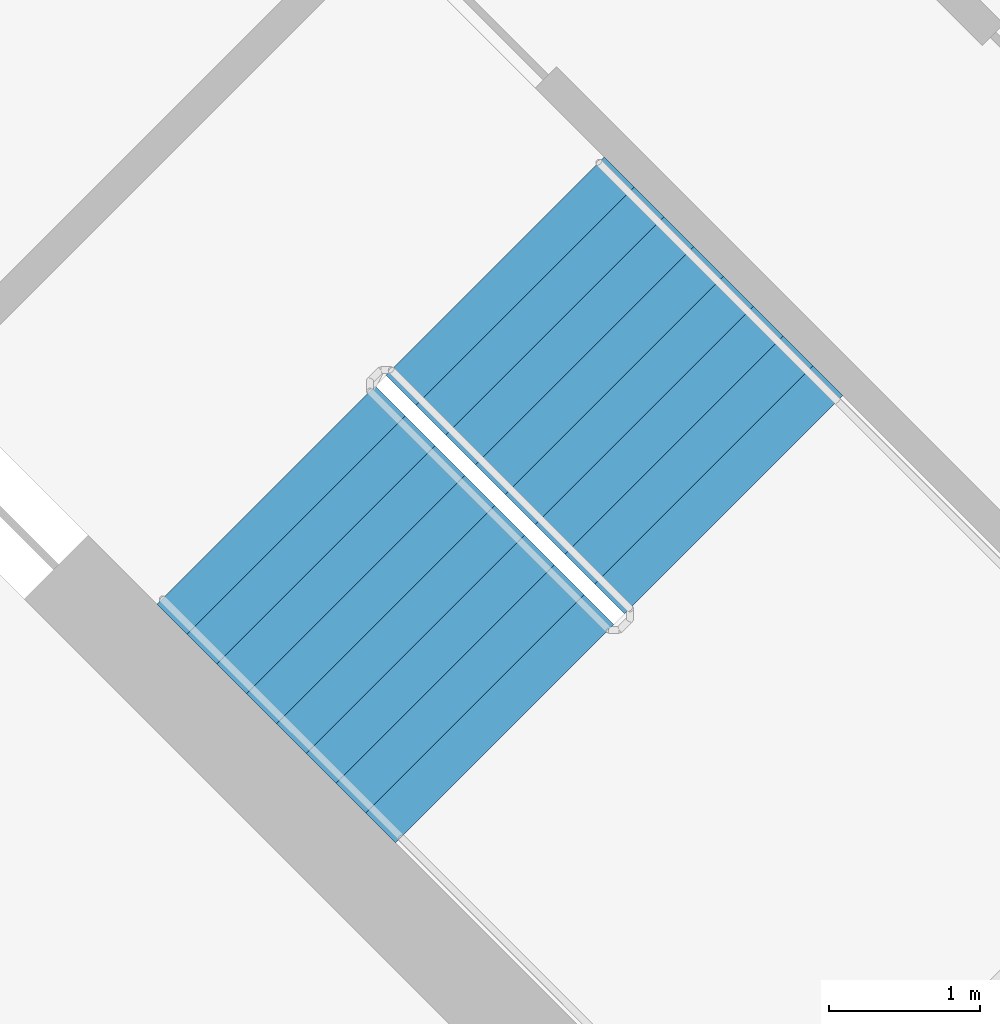
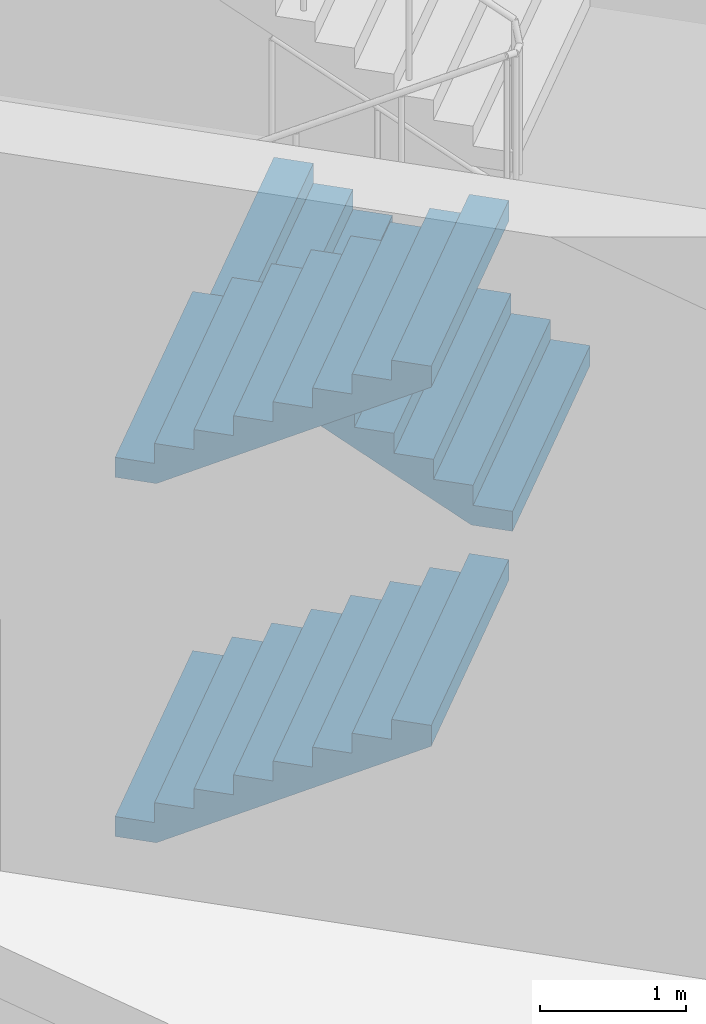
# One storey, part 11 of 16: 3 stair flights, 1 element without a shape of its own.
"""IFC4 building model written with IfcOpenShell, lengths in metres."""

from ifc_helpers import new_model, si_unit, direction, frame, origin, place, context, subcontext, project, spatial, triangles, material, type_object, element, aggregate, save


model = new_model("IFC4")

# Units and contexts
model_context = context("Model", 3, precision=1e-05, world=origin(), true_north=direction((0.0, 1.0)))
body_context = subcontext(model_context, "Body", "Model", "MODEL_VIEW")
ifc_project = project(units=[si_unit("LENGTHUNIT", "METRE"), si_unit("AREAUNIT", "SQUARE_METRE"), si_unit("VOLUMEUNIT", "CUBIC_METRE"), si_unit("PLANEANGLEUNIT", "RADIAN"), si_unit("MASSUNIT", "GRAM", prefix="KILO")], contexts=[model_context])

# Site, building, storey
site_placement = place(None, origin())
site = spatial("IfcSite", under=ifc_project, at=site_placement, CompositionType="ELEMENT")
building_placement = place(site_placement, origin())
building = spatial("IfcBuilding", under=site, at=building_placement, Name="Verdalira Terraces Hotel", CompositionType="ELEMENT")
storey_placement = place(building_placement, frame((0.0, 0.0, 216.0)))
storey = spatial("IfcBuildingStorey", under=building, at=storey_placement, Name="L53", CompositionType="ELEMENT", Elevation=216.0)

# Stair, stair flights
ifc_material_1 = material(Name="Concrete C40", Category="concrete")
stair_type = type_object("IfcStairType", Name="Core stair 36 risers 2050 mm wide", PredefinedType="HALF_TURN_STAIR", material=ifc_material_1)
stair_placement = place(storey_placement, origin())
stair = element("IfcStair", 1, at=stair_placement, inside=storey, type_object=stair_type, Name="L53 Exit stair ST2", PredefinedType="HALF_TURN_STAIR")
ifc_material_2 = material(Name="Concrete C40", Category="concrete")
stair_flight_type = type_object("IfcStairFlightType", Name="Core stair flight 36 risers 2050 mm wide", PredefinedType="STRAIGHT", material=ifc_material_2)
stair_flight_1_placement = place(storey_placement, frame((-10.058594, -7.442383, 0.0), z_axis=(0.0, 0.0, 1.0), x_axis=(0.707106781, -0.707106781, 0.0)))
stair_flight_1 = element("IfcStairFlight", 2, at=stair_flight_1_placement, type_object=stair_flight_type, Name="ST2 flight 1", NumberOfRisers=9, NumberOfTreads=8, PredefinedType="STRAIGHT", RiserHeight=0.166666667, TreadLength=0.28, context=body_context, shape_type="Tessellation", body=[
    triangles([(0.0, 1.025024, 0.0), (0.292969, 1.025024, 0.0), (2.23999, 1.025024, 1.158936), (0.0, -1.025024, 0.0), (0.292969, -1.025024, 0.0), (2.23999, -1.025024, 1.158936), (2.23999, 1.025024, 1.333252), (1.959961, 1.025024, 1.333252), (2.23999, -1.025024, 1.333252), (1.959961, -1.025024, 1.333252), (1.959961, 1.025024, 1.166748), (1.959961, -1.025024, 1.166748), (1.679932, 1.025024, 1.166748), (1.679932, -1.025024, 1.166748), (1.679932, 1.025024, 1.0), (1.679932, -1.025024, 1.0), (1.399902, 1.025024, 1.0), (1.399902, 1.025024, 0.833252), (1.399902, -1.025024, 1.0), (1.399902, -1.025024, 0.833252), (1.120117, 1.025024, 0.833252), (1.120117, 1.025024, 0.666748), (1.120117, -1.025024, 0.833252), (1.120117, -1.025024, 0.666748), (0.840088, 1.025024, 0.666748), (0.840088, 1.025024, 0.5), (0.840088, -1.025024, 0.666748), (0.840088, -1.025024, 0.5), (0.560059, 1.025024, 0.5), (0.560059, 1.025024, 0.333252), (0.560059, -1.025024, 0.5), (0.560059, -1.025024, 0.333252), (0.280029, 1.025024, 0.333252), (0.280029, 1.025024, 0.166748), (0.280029, -1.025024, 0.333252), (0.280029, -1.025024, 0.166748), (0.0, 1.025024, 0.166748), (0.0, -1.025024, 0.166748), (0.0, -0.96096, 0.0), (0.0, -0.96096, 0.166748), (0.0, -0.896896, 0.0), (0.0, -0.896896, 0.166748), (0.0, -0.832832, 0.0), (0.0, -0.832832, 0.166748), (0.0, -0.768768, 0.0), (0.0, -0.768768, 0.166748), (0.0, -0.704704, 0.0), (0.0, -0.704704, 0.166748), (0.0, -0.64064, 0.0), (0.0, -0.64064, 0.166748), (0.0, -0.576576, 0.0), (0.0, -0.576576, 0.166748), (0.0, -0.512512, 0.0), (0.0, -0.512512, 0.166748), (0.0, -0.448448, 0.0), (0.0, -0.448448, 0.166748), (0.0, -0.384384, 0.0), (0.0, -0.384384, 0.166748), (0.0, -0.32032, 0.0), (0.0, -0.32032, 0.166748), (0.0, -0.256256, 0.0), (0.0, -0.256256, 0.166748), (0.0, -0.192192, 0.0), (0.0, -0.192192, 0.166748), (0.0, -0.128128, 0.0), (0.0, -0.128128, 0.166748), (0.0, -0.064064, 0.0), (0.0, -0.064064, 0.166748), (0.0, 0.0, 0.0), (0.0, 0.0, 0.166748), (0.0, 0.064064, 0.0), (0.0, 0.064064, 0.166748), (0.0, 0.128128, 0.0), (0.0, 0.128128, 0.166748), (0.0, 0.192192, 0.0), (0.0, 0.192192, 0.166748), (0.0, 0.256256, 0.0), (0.0, 0.256256, 0.166748), (0.0, 0.32032, 0.0), (0.0, 0.32032, 0.166748), (0.0, 0.384384, 0.0), (0.0, 0.384384, 0.166748), (0.0, 0.448448, 0.0), (0.0, 0.448448, 0.166748), (0.0, 0.512512, 0.0), (0.0, 0.512512, 0.166748), (0.0, 0.576576, 0.0), (0.0, 0.576576, 0.166748), (0.0, 0.64064, 0.0), (0.0, 0.64064, 0.166748), (0.0, 0.704704, 0.0), (0.0, 0.704704, 0.166748), (0.0, 0.768768, 0.0), (0.0, 0.768768, 0.166748), (0.0, 0.832832, 0.0), (0.0, 0.832832, 0.166748), (0.0, 0.896896, 0.0), (0.0, 0.896896, 0.166748), (0.0, 0.96096, 0.0), (0.0, 0.96096, 0.166748), (2.23999, -0.96096, 1.333252), (2.23999, -0.896896, 1.333252), (2.23999, -0.832832, 1.333252), (2.23999, -0.768768, 1.333252), (2.23999, -0.704704, 1.333252), (2.23999, -0.64064, 1.333252), (2.23999, -0.576576, 1.333252), (2.23999, -0.512512, 1.333252), (2.23999, -0.448448, 1.333252), (2.23999, -0.384384, 1.333252), (2.23999, -0.32032, 1.333252), (2.23999, -0.256256, 1.333252), (2.23999, -0.192192, 1.333252), (2.23999, -0.128128, 1.333252), (2.23999, -0.064064, 1.333252), (2.23999, 0.0, 1.333252), (2.23999, 0.064064, 1.333252), (2.23999, 0.128128, 1.333252), (2.23999, 0.192192, 1.333252), (2.23999, 0.256256, 1.333252), (2.23999, 0.32032, 1.333252), (2.23999, 0.384384, 1.333252), (2.23999, 0.448448, 1.333252), (2.23999, 0.512512, 1.333252), (2.23999, 0.576576, 1.333252), (2.23999, 0.64064, 1.333252), (2.23999, 0.704704, 1.333252), (2.23999, 0.768768, 1.333252), (2.23999, 0.832832, 1.333252), (2.23999, 0.896896, 1.333252), (2.23999, 0.96096, 1.333252), (2.23999, -0.96096, 1.158936), (2.23999, -0.896896, 1.158936), (2.23999, -0.832832, 1.158936), (2.23999, -0.768768, 1.158936), (2.23999, -0.704704, 1.158936), (2.23999, -0.64064, 1.158936), (2.23999, -0.576576, 1.158936), (2.23999, -0.512512, 1.158936), (2.23999, -0.448448, 1.158936), (2.23999, -0.384384, 1.158936), (2.23999, -0.32032, 1.158936), (2.23999, -0.256256, 1.158936), (2.23999, -0.192192, 1.158936), (2.23999, -0.128128, 1.158936), (2.23999, -0.064064, 1.158936), (2.23999, 0.0, 1.158936), (2.23999, 0.064064, 1.158936), (2.23999, 0.128128, 1.158936), (2.23999, 0.192192, 1.158936), (2.23999, 0.256256, 1.158936), (2.23999, 0.32032, 1.158936), (2.23999, 0.384384, 1.158936), (2.23999, 0.448448, 1.158936), (2.23999, 0.512512, 1.158936), (2.23999, 0.576576, 1.158936), (2.23999, 0.64064, 1.158936), (2.23999, 0.704704, 1.158936), (2.23999, 0.768768, 1.158936), (2.23999, 0.832832, 1.158936), (2.23999, 0.896896, 1.158936), (2.23999, 0.96096, 1.158936)], [[1, 3, 2], [4, 5, 6], [3, 8, 7], [6, 9, 10], [3, 11, 8], [6, 10, 12], [3, 13, 11], [6, 12, 14], [3, 15, 13], [6, 14, 16], [15, 18, 17], [16, 19, 20], [3, 18, 15], [6, 16, 20], [18, 22, 21], [20, 23, 24], [3, 22, 18], [6, 20, 24], [22, 26, 25], [24, 27, 28], [3, 26, 22], [6, 24, 28], [26, 30, 29], [28, 31, 32], [3, 30, 26], [6, 28, 32], [1, 30, 3], [4, 6, 32], [30, 34, 33], [32, 35, 36], [1, 34, 30], [4, 32, 36], [34, 1, 37], [36, 38, 4], [4, 40, 39], [4, 38, 40], [39, 42, 41], [39, 40, 42], [41, 44, 43], [41, 42, 44], [43, 46, 45], [43, 44, 46], [45, 48, 47], [45, 46, 48], [47, 50, 49], [47, 48, 50], [49, 52, 51], [49, 50, 52], [51, 54, 53], [51, 52, 54], [53, 56, 55], [53, 54, 56], [55, 58, 57], [55, 56, 58], [57, 60, 59], [57, 58, 60], [59, 62, 61], [59, 60, 62], [61, 64, 63], [61, 62, 64], [63, 66, 65], [63, 64, 66], [65, 68, 67], [65, 66, 68], [67, 70, 69], [67, 68, 70], [69, 72, 71], [69, 70, 72], [71, 74, 73], [71, 72, 74], [73, 76, 75], [73, 74, 76], [75, 78, 77], [75, 76, 78], [77, 80, 79], [77, 78, 80], [79, 82, 81], [79, 80, 82], [81, 84, 83], [81, 82, 84], [83, 86, 85], [83, 84, 86], [85, 88, 87], [85, 86, 88], [87, 90, 89], [87, 88, 90], [89, 92, 91], [89, 90, 92], [91, 94, 93], [91, 92, 94], [93, 96, 95], [93, 94, 96], [95, 98, 97], [95, 96, 98], [97, 100, 99], [97, 98, 100], [99, 37, 1], [99, 100, 37], [38, 36, 40], [40, 36, 42], [42, 36, 44], [44, 36, 46], [46, 36, 48], [48, 36, 50], [50, 36, 52], [52, 36, 54], [54, 36, 56], [56, 36, 58], [58, 36, 60], [60, 36, 62], [62, 36, 64], [64, 36, 66], [66, 36, 68], [68, 36, 70], [70, 36, 72], [72, 36, 74], [74, 36, 76], [76, 36, 78], [78, 36, 80], [80, 36, 82], [82, 36, 84], [84, 36, 86], [86, 36, 88], [88, 36, 90], [90, 36, 92], [92, 36, 94], [94, 36, 96], [96, 36, 98], [98, 36, 100], [100, 36, 37], [37, 36, 34], [36, 33, 34], [36, 35, 33], [35, 30, 33], [35, 32, 30], [32, 29, 30], [32, 31, 29], [31, 26, 29], [31, 28, 26], [28, 25, 26], [28, 27, 25], [27, 22, 25], [27, 24, 22], [24, 21, 22], [24, 23, 21], [23, 18, 21], [23, 20, 18], [20, 17, 18], [20, 19, 17], [19, 15, 17], [19, 16, 15], [16, 13, 15], [16, 14, 13], [14, 11, 13], [14, 12, 11], [12, 8, 11], [12, 10, 8], [9, 101, 10], [101, 102, 10], [102, 103, 10], [103, 104, 10], [104, 105, 10], [105, 106, 10], [106, 107, 10], [107, 108, 10], [108, 109, 10], [109, 110, 10], [110, 111, 10], [111, 112, 10], [112, 113, 10], [113, 114, 10], [114, 115, 10], [115, 116, 10], [116, 117, 10], [117, 118, 10], [118, 119, 10], [119, 120, 10], [120, 121, 10], [121, 122, 10], [122, 123, 10], [123, 124, 10], [124, 125, 10], [125, 126, 10], [126, 127, 10], [127, 128, 10], [128, 129, 10], [129, 130, 10], [130, 131, 10], [131, 7, 10], [7, 8, 10], [9, 132, 101], [9, 6, 132], [101, 133, 102], [101, 132, 133], [102, 134, 103], [102, 133, 134], [103, 135, 104], [103, 134, 135], [104, 136, 105], [104, 135, 136], [105, 137, 106], [105, 136, 137], [106, 138, 107], [106, 137, 138], [107, 139, 108], [107, 138, 139], [108, 140, 109], [108, 139, 140], [109, 141, 110], [109, 140, 141], [110, 142, 111], [110, 141, 142], [111, 143, 112], [111, 142, 143], [112, 144, 113], [112, 143, 144], [113, 145, 114], [113, 144, 145], [114, 146, 115], [114, 145, 146], [115, 147, 116], [115, 146, 147], [116, 148, 117], [116, 147, 148], [117, 149, 118], [117, 148, 149], [118, 150, 119], [118, 149, 150], [119, 151, 120], [119, 150, 151], [120, 152, 121], [120, 151, 152], [121, 153, 122], [121, 152, 153], [122, 154, 123], [122, 153, 154], [123, 155, 124], [123, 154, 155], [124, 156, 125], [124, 155, 156], [125, 157, 126], [125, 156, 157], [126, 158, 127], [126, 157, 158], [127, 159, 128], [127, 158, 159], [128, 160, 129], [128, 159, 160], [129, 161, 130], [129, 160, 161], [130, 162, 131], [130, 161, 162], [131, 3, 7], [131, 162, 3], [6, 5, 132], [132, 5, 133], [133, 5, 134], [134, 5, 135], [135, 5, 136], [136, 5, 137], [137, 5, 138], [138, 5, 139], [139, 5, 140], [140, 5, 141], [141, 5, 142], [142, 5, 143], [143, 5, 144], [144, 5, 145], [145, 5, 146], [146, 5, 147], [147, 5, 148], [148, 5, 149], [149, 5, 150], [150, 5, 151], [151, 5, 152], [152, 5, 153], [153, 5, 154], [154, 5, 155], [155, 5, 156], [156, 5, 157], [157, 5, 158], [158, 5, 159], [159, 5, 160], [160, 5, 161], [161, 5, 162], [162, 5, 3], [3, 5, 2], [4, 39, 5], [39, 41, 5], [41, 43, 5], [43, 45, 5], [45, 47, 5], [47, 49, 5], [49, 51, 5], [51, 53, 5], [53, 55, 5], [55, 57, 5], [57, 59, 5], [59, 61, 5], [61, 63, 5], [63, 65, 5], [65, 67, 5], [67, 69, 5], [69, 71, 5], [71, 73, 5], [73, 75, 5], [75, 77, 5], [77, 79, 5], [79, 81, 5], [81, 83, 5], [83, 85, 5], [85, 87, 5], [87, 89, 5], [89, 91, 5], [91, 93, 5], [93, 95, 5], [95, 97, 5], [97, 99, 5], [99, 1, 5], [1, 2, 5]], closed=True),
])
stair_flight_2_placement = place(storey_placement, frame((-6.954346, -7.505859, 1.5), z_axis=(0.0, 0.0, 1.0), x_axis=(-0.707106781, 0.707106781, 0.0)))
stair_flight_2 = element("IfcStairFlight", 3, at=stair_flight_2_placement, type_object=stair_flight_type, Name="ST2 flight 2", NumberOfRisers=9, NumberOfTreads=8, PredefinedType="STRAIGHT", RiserHeight=0.166666667, TreadLength=0.28, context=body_context, shape_type="Tessellation", body=[
    triangles([(0.0, 1.025024, 0.0), (0.292969, 1.025024, 0.0), (2.23999, 1.025024, 1.158936), (0.0, -1.025024, 0.0), (0.292969, -1.025024, 0.0), (2.23999, -1.025024, 1.158936), (2.23999, 1.025024, 1.333252), (1.959961, 1.025024, 1.333252), (2.23999, -1.025024, 1.333252), (1.959961, -1.025024, 1.333252), (1.959961, 1.025024, 1.166748), (1.959961, -1.025024, 1.166748), (1.679932, 1.025024, 1.166748), (1.679932, -1.025024, 1.166748), (1.679932, 1.025024, 1.0), (1.679932, -1.025024, 1.0), (1.399902, 1.025024, 1.0), (1.399902, 1.025024, 0.833252), (1.399902, -1.025024, 1.0), (1.399902, -1.025024, 0.833252), (1.120117, 1.025024, 0.833252), (1.120117, 1.025024, 0.666748), (1.120117, -1.025024, 0.833252), (1.120117, -1.025024, 0.666748), (0.840088, 1.025024, 0.666748), (0.840088, 1.025024, 0.5), (0.840088, -1.025024, 0.666748), (0.840088, -1.025024, 0.5), (0.560059, 1.025024, 0.5), (0.560059, 1.025024, 0.333252), (0.560059, -1.025024, 0.5), (0.560059, -1.025024, 0.333252), (0.280029, 1.025024, 0.333252), (0.280029, 1.025024, 0.166748), (0.280029, -1.025024, 0.333252), (0.280029, -1.025024, 0.166748), (0.0, 1.025024, 0.166748), (0.0, -1.025024, 0.166748), (0.0, -0.96096, 0.0), (0.0, -0.96096, 0.166748), (0.0, -0.896896, 0.0), (0.0, -0.896896, 0.166748), (0.0, -0.832832, 0.0), (0.0, -0.832832, 0.166748), (0.0, -0.768768, 0.0), (0.0, -0.768768, 0.166748), (0.0, -0.704704, 0.0), (0.0, -0.704704, 0.166748), (0.0, -0.64064, 0.0), (0.0, -0.64064, 0.166748), (0.0, -0.576576, 0.0), (0.0, -0.576576, 0.166748), (0.0, -0.512512, 0.0), (0.0, -0.512512, 0.166748), (0.0, -0.448448, 0.0), (0.0, -0.448448, 0.166748), (0.0, -0.384384, 0.0), (0.0, -0.384384, 0.166748), (0.0, -0.32032, 0.0), (0.0, -0.32032, 0.166748), (0.0, -0.256256, 0.0), (0.0, -0.256256, 0.166748), (0.0, -0.192192, 0.0), (0.0, -0.192192, 0.166748), (0.0, -0.128128, 0.0), (0.0, -0.128128, 0.166748), (0.0, -0.064064, 0.0), (0.0, -0.064064, 0.166748), (0.0, 0.0, 0.0), (0.0, 0.0, 0.166748), (0.0, 0.064064, 0.0), (0.0, 0.064064, 0.166748), (0.0, 0.128128, 0.0), (0.0, 0.128128, 0.166748), (0.0, 0.192192, 0.0), (0.0, 0.192192, 0.166748), (0.0, 0.256256, 0.0), (0.0, 0.256256, 0.166748), (0.0, 0.32032, 0.0), (0.0, 0.32032, 0.166748), (0.0, 0.384384, 0.0), (0.0, 0.384384, 0.166748), (0.0, 0.448448, 0.0), (0.0, 0.448448, 0.166748), (0.0, 0.512512, 0.0), (0.0, 0.512512, 0.166748), (0.0, 0.576576, 0.0), (0.0, 0.576576, 0.166748), (0.0, 0.64064, 0.0), (0.0, 0.64064, 0.166748), (0.0, 0.704704, 0.0), (0.0, 0.704704, 0.166748), (0.0, 0.768768, 0.0), (0.0, 0.768768, 0.166748), (0.0, 0.832832, 0.0), (0.0, 0.832832, 0.166748), (0.0, 0.896896, 0.0), (0.0, 0.896896, 0.166748), (0.0, 0.96096, 0.0), (0.0, 0.96096, 0.166748), (2.23999, -0.96096, 1.333252), (2.23999, -0.896896, 1.333252), (2.23999, -0.832832, 1.333252), (2.23999, -0.768768, 1.333252), (2.23999, -0.704704, 1.333252), (2.23999, -0.64064, 1.333252), (2.23999, -0.576576, 1.333252), (2.23999, -0.512512, 1.333252), (2.23999, -0.448448, 1.333252), (2.23999, -0.384384, 1.333252), (2.23999, -0.32032, 1.333252), (2.23999, -0.256256, 1.333252), (2.23999, -0.192192, 1.333252), (2.23999, -0.128128, 1.333252), (2.23999, -0.064064, 1.333252), (2.23999, 0.0, 1.333252), (2.23999, 0.064064, 1.333252), (2.23999, 0.128128, 1.333252), (2.23999, 0.192192, 1.333252), (2.23999, 0.256256, 1.333252), (2.23999, 0.32032, 1.333252), (2.23999, 0.384384, 1.333252), (2.23999, 0.448448, 1.333252), (2.23999, 0.512512, 1.333252), (2.23999, 0.576576, 1.333252), (2.23999, 0.64064, 1.333252), (2.23999, 0.704704, 1.333252), (2.23999, 0.768768, 1.333252), (2.23999, 0.832832, 1.333252), (2.23999, 0.896896, 1.333252), (2.23999, 0.96096, 1.333252), (2.23999, -0.96096, 1.158936), (2.23999, -0.896896, 1.158936), (2.23999, -0.832832, 1.158936), (2.23999, -0.768768, 1.158936), (2.23999, -0.704704, 1.158936), (2.23999, -0.64064, 1.158936), (2.23999, -0.576576, 1.158936), (2.23999, -0.512512, 1.158936), (2.23999, -0.448448, 1.158936), (2.23999, -0.384384, 1.158936), (2.23999, -0.32032, 1.158936), (2.23999, -0.256256, 1.158936), (2.23999, -0.192192, 1.158936), (2.23999, -0.128128, 1.158936), (2.23999, -0.064064, 1.158936), (2.23999, 0.0, 1.158936), (2.23999, 0.064064, 1.158936), (2.23999, 0.128128, 1.158936), (2.23999, 0.192192, 1.158936), (2.23999, 0.256256, 1.158936), (2.23999, 0.32032, 1.158936), (2.23999, 0.384384, 1.158936), (2.23999, 0.448448, 1.158936), (2.23999, 0.512512, 1.158936), (2.23999, 0.576576, 1.158936), (2.23999, 0.64064, 1.158936), (2.23999, 0.704704, 1.158936), (2.23999, 0.768768, 1.158936), (2.23999, 0.832832, 1.158936), (2.23999, 0.896896, 1.158936), (2.23999, 0.96096, 1.158936)], [[1, 3, 2], [4, 5, 6], [3, 8, 7], [6, 9, 10], [3, 11, 8], [6, 10, 12], [3, 13, 11], [6, 12, 14], [3, 15, 13], [6, 14, 16], [15, 18, 17], [16, 19, 20], [3, 18, 15], [6, 16, 20], [18, 22, 21], [20, 23, 24], [3, 22, 18], [6, 20, 24], [22, 26, 25], [24, 27, 28], [3, 26, 22], [6, 24, 28], [26, 30, 29], [28, 31, 32], [3, 30, 26], [6, 28, 32], [1, 30, 3], [4, 6, 32], [30, 34, 33], [32, 35, 36], [1, 34, 30], [4, 32, 36], [34, 1, 37], [36, 38, 4], [4, 40, 39], [4, 38, 40], [39, 42, 41], [39, 40, 42], [41, 44, 43], [41, 42, 44], [43, 46, 45], [43, 44, 46], [45, 48, 47], [45, 46, 48], [47, 50, 49], [47, 48, 50], [49, 52, 51], [49, 50, 52], [51, 54, 53], [51, 52, 54], [53, 56, 55], [53, 54, 56], [55, 58, 57], [55, 56, 58], [57, 60, 59], [57, 58, 60], [59, 62, 61], [59, 60, 62], [61, 64, 63], [61, 62, 64], [63, 66, 65], [63, 64, 66], [65, 68, 67], [65, 66, 68], [67, 70, 69], [67, 68, 70], [69, 72, 71], [69, 70, 72], [71, 74, 73], [71, 72, 74], [73, 76, 75], [73, 74, 76], [75, 78, 77], [75, 76, 78], [77, 80, 79], [77, 78, 80], [79, 82, 81], [79, 80, 82], [81, 84, 83], [81, 82, 84], [83, 86, 85], [83, 84, 86], [85, 88, 87], [85, 86, 88], [87, 90, 89], [87, 88, 90], [89, 92, 91], [89, 90, 92], [91, 94, 93], [91, 92, 94], [93, 96, 95], [93, 94, 96], [95, 98, 97], [95, 96, 98], [97, 100, 99], [97, 98, 100], [99, 37, 1], [99, 100, 37], [38, 36, 40], [40, 36, 42], [42, 36, 44], [44, 36, 46], [46, 36, 48], [48, 36, 50], [50, 36, 52], [52, 36, 54], [54, 36, 56], [56, 36, 58], [58, 36, 60], [60, 36, 62], [62, 36, 64], [64, 36, 66], [66, 36, 68], [68, 36, 70], [70, 36, 72], [72, 36, 74], [74, 36, 76], [76, 36, 78], [78, 36, 80], [80, 36, 82], [82, 36, 84], [84, 36, 86], [86, 36, 88], [88, 36, 90], [90, 36, 92], [92, 36, 94], [94, 36, 96], [96, 36, 98], [98, 36, 100], [100, 36, 37], [37, 36, 34], [36, 33, 34], [36, 35, 33], [35, 30, 33], [35, 32, 30], [32, 29, 30], [32, 31, 29], [31, 26, 29], [31, 28, 26], [28, 25, 26], [28, 27, 25], [27, 22, 25], [27, 24, 22], [24, 21, 22], [24, 23, 21], [23, 18, 21], [23, 20, 18], [20, 17, 18], [20, 19, 17], [19, 15, 17], [19, 16, 15], [16, 13, 15], [16, 14, 13], [14, 11, 13], [14, 12, 11], [12, 8, 11], [12, 10, 8], [9, 101, 10], [101, 102, 10], [102, 103, 10], [103, 104, 10], [104, 105, 10], [105, 106, 10], [106, 107, 10], [107, 108, 10], [108, 109, 10], [109, 110, 10], [110, 111, 10], [111, 112, 10], [112, 113, 10], [113, 114, 10], [114, 115, 10], [115, 116, 10], [116, 117, 10], [117, 118, 10], [118, 119, 10], [119, 120, 10], [120, 121, 10], [121, 122, 10], [122, 123, 10], [123, 124, 10], [124, 125, 10], [125, 126, 10], [126, 127, 10], [127, 128, 10], [128, 129, 10], [129, 130, 10], [130, 131, 10], [131, 7, 10], [7, 8, 10], [9, 132, 101], [9, 6, 132], [101, 133, 102], [101, 132, 133], [102, 134, 103], [102, 133, 134], [103, 135, 104], [103, 134, 135], [104, 136, 105], [104, 135, 136], [105, 137, 106], [105, 136, 137], [106, 138, 107], [106, 137, 138], [107, 139, 108], [107, 138, 139], [108, 140, 109], [108, 139, 140], [109, 141, 110], [109, 140, 141], [110, 142, 111], [110, 141, 142], [111, 143, 112], [111, 142, 143], [112, 144, 113], [112, 143, 144], [113, 145, 114], [113, 144, 145], [114, 146, 115], [114, 145, 146], [115, 147, 116], [115, 146, 147], [116, 148, 117], [116, 147, 148], [117, 149, 118], [117, 148, 149], [118, 150, 119], [118, 149, 150], [119, 151, 120], [119, 150, 151], [120, 152, 121], [120, 151, 152], [121, 153, 122], [121, 152, 153], [122, 154, 123], [122, 153, 154], [123, 155, 124], [123, 154, 155], [124, 156, 125], [124, 155, 156], [125, 157, 126], [125, 156, 157], [126, 158, 127], [126, 157, 158], [127, 159, 128], [127, 158, 159], [128, 160, 129], [128, 159, 160], [129, 161, 130], [129, 160, 161], [130, 162, 131], [130, 161, 162], [131, 3, 7], [131, 162, 3], [6, 5, 132], [132, 5, 133], [133, 5, 134], [134, 5, 135], [135, 5, 136], [136, 5, 137], [137, 5, 138], [138, 5, 139], [139, 5, 140], [140, 5, 141], [141, 5, 142], [142, 5, 143], [143, 5, 144], [144, 5, 145], [145, 5, 146], [146, 5, 147], [147, 5, 148], [148, 5, 149], [149, 5, 150], [150, 5, 151], [151, 5, 152], [152, 5, 153], [153, 5, 154], [154, 5, 155], [155, 5, 156], [156, 5, 157], [157, 5, 158], [158, 5, 159], [159, 5, 160], [160, 5, 161], [161, 5, 162], [162, 5, 3], [3, 5, 2], [4, 39, 5], [39, 41, 5], [41, 43, 5], [43, 45, 5], [45, 47, 5], [47, 49, 5], [49, 51, 5], [51, 53, 5], [53, 55, 5], [55, 57, 5], [57, 59, 5], [59, 61, 5], [61, 63, 5], [63, 65, 5], [65, 67, 5], [67, 69, 5], [69, 71, 5], [71, 73, 5], [73, 75, 5], [75, 77, 5], [77, 79, 5], [79, 81, 5], [81, 83, 5], [83, 85, 5], [85, 87, 5], [87, 89, 5], [89, 91, 5], [91, 93, 5], [93, 95, 5], [95, 97, 5], [97, 99, 5], [99, 1, 5], [1, 2, 5]], closed=True),
])
stair_flight_3_placement = place(storey_placement, frame((-10.058594, -7.442383, 3.0), z_axis=(0.0, 0.0, 1.0), x_axis=(0.707106781, -0.707106781, 0.0)))
stair_flight_3 = element("IfcStairFlight", 4, at=stair_flight_3_placement, type_object=stair_flight_type, Name="ST2 flight 3", NumberOfRisers=9, NumberOfTreads=8, PredefinedType="STRAIGHT", RiserHeight=0.166666667, TreadLength=0.28, context=body_context, shape_type="Tessellation", body=[
    triangles([(0.0, 1.025024, 0.0), (0.292969, 1.025024, 0.0), (2.23999, 1.025024, 1.158936), (0.0, -1.025024, 0.0), (0.292969, -1.025024, 0.0), (2.23999, -1.025024, 1.158936), (2.23999, 1.025024, 1.333252), (1.959961, 1.025024, 1.333252), (2.23999, -1.025024, 1.333252), (1.959961, -1.025024, 1.333252), (1.959961, 1.025024, 1.166748), (1.959961, -1.025024, 1.166748), (1.679932, 1.025024, 1.166748), (1.679932, -1.025024, 1.166748), (1.679932, 1.025024, 1.0), (1.679932, -1.025024, 1.0), (1.399902, 1.025024, 1.0), (1.399902, 1.025024, 0.833252), (1.399902, -1.025024, 1.0), (1.399902, -1.025024, 0.833252), (1.120117, 1.025024, 0.833252), (1.120117, 1.025024, 0.666748), (1.120117, -1.025024, 0.833252), (1.120117, -1.025024, 0.666748), (0.840088, 1.025024, 0.666748), (0.840088, 1.025024, 0.5), (0.840088, -1.025024, 0.666748), (0.840088, -1.025024, 0.5), (0.560059, 1.025024, 0.5), (0.560059, 1.025024, 0.333252), (0.560059, -1.025024, 0.5), (0.560059, -1.025024, 0.333252), (0.280029, 1.025024, 0.333252), (0.280029, 1.025024, 0.166748), (0.280029, -1.025024, 0.333252), (0.280029, -1.025024, 0.166748), (0.0, 1.025024, 0.166748), (0.0, -1.025024, 0.166748), (0.0, -0.96096, 0.0), (0.0, -0.96096, 0.166748), (0.0, -0.896896, 0.0), (0.0, -0.896896, 0.166748), (0.0, -0.832832, 0.0), (0.0, -0.832832, 0.166748), (0.0, -0.768768, 0.0), (0.0, -0.768768, 0.166748), (0.0, -0.704704, 0.0), (0.0, -0.704704, 0.166748), (0.0, -0.64064, 0.0), (0.0, -0.64064, 0.166748), (0.0, -0.576576, 0.0), (0.0, -0.576576, 0.166748), (0.0, -0.512512, 0.0), (0.0, -0.512512, 0.166748), (0.0, -0.448448, 0.0), (0.0, -0.448448, 0.166748), (0.0, -0.384384, 0.0), (0.0, -0.384384, 0.166748), (0.0, -0.32032, 0.0), (0.0, -0.32032, 0.166748), (0.0, -0.256256, 0.0), (0.0, -0.256256, 0.166748), (0.0, -0.192192, 0.0), (0.0, -0.192192, 0.166748), (0.0, -0.128128, 0.0), (0.0, -0.128128, 0.166748), (0.0, -0.064064, 0.0), (0.0, -0.064064, 0.166748), (0.0, 0.0, 0.0), (0.0, 0.0, 0.166748), (0.0, 0.064064, 0.0), (0.0, 0.064064, 0.166748), (0.0, 0.128128, 0.0), (0.0, 0.128128, 0.166748), (0.0, 0.192192, 0.0), (0.0, 0.192192, 0.166748), (0.0, 0.256256, 0.0), (0.0, 0.256256, 0.166748), (0.0, 0.32032, 0.0), (0.0, 0.32032, 0.166748), (0.0, 0.384384, 0.0), (0.0, 0.384384, 0.166748), (0.0, 0.448448, 0.0), (0.0, 0.448448, 0.166748), (0.0, 0.512512, 0.0), (0.0, 0.512512, 0.166748), (0.0, 0.576576, 0.0), (0.0, 0.576576, 0.166748), (0.0, 0.64064, 0.0), (0.0, 0.64064, 0.166748), (0.0, 0.704704, 0.0), (0.0, 0.704704, 0.166748), (0.0, 0.768768, 0.0), (0.0, 0.768768, 0.166748), (0.0, 0.832832, 0.0), (0.0, 0.832832, 0.166748), (0.0, 0.896896, 0.0), (0.0, 0.896896, 0.166748), (0.0, 0.96096, 0.0), (0.0, 0.96096, 0.166748), (2.23999, -0.96096, 1.333252), (2.23999, -0.896896, 1.333252), (2.23999, -0.832832, 1.333252), (2.23999, -0.768768, 1.333252), (2.23999, -0.704704, 1.333252), (2.23999, -0.64064, 1.333252), (2.23999, -0.576576, 1.333252), (2.23999, -0.512512, 1.333252), (2.23999, -0.448448, 1.333252), (2.23999, -0.384384, 1.333252), (2.23999, -0.32032, 1.333252), (2.23999, -0.256256, 1.333252), (2.23999, -0.192192, 1.333252), (2.23999, -0.128128, 1.333252), (2.23999, -0.064064, 1.333252), (2.23999, 0.0, 1.333252), (2.23999, 0.064064, 1.333252), (2.23999, 0.128128, 1.333252), (2.23999, 0.192192, 1.333252), (2.23999, 0.256256, 1.333252), (2.23999, 0.32032, 1.333252), (2.23999, 0.384384, 1.333252), (2.23999, 0.448448, 1.333252), (2.23999, 0.512512, 1.333252), (2.23999, 0.576576, 1.333252), (2.23999, 0.64064, 1.333252), (2.23999, 0.704704, 1.333252), (2.23999, 0.768768, 1.333252), (2.23999, 0.832832, 1.333252), (2.23999, 0.896896, 1.333252), (2.23999, 0.96096, 1.333252), (2.23999, -0.96096, 1.158936), (2.23999, -0.896896, 1.158936), (2.23999, -0.832832, 1.158936), (2.23999, -0.768768, 1.158936), (2.23999, -0.704704, 1.158936), (2.23999, -0.64064, 1.158936), (2.23999, -0.576576, 1.158936), (2.23999, -0.512512, 1.158936), (2.23999, -0.448448, 1.158936), (2.23999, -0.384384, 1.158936), (2.23999, -0.32032, 1.158936), (2.23999, -0.256256, 1.158936), (2.23999, -0.192192, 1.158936), (2.23999, -0.128128, 1.158936), (2.23999, -0.064064, 1.158936), (2.23999, 0.0, 1.158936), (2.23999, 0.064064, 1.158936), (2.23999, 0.128128, 1.158936), (2.23999, 0.192192, 1.158936), (2.23999, 0.256256, 1.158936), (2.23999, 0.32032, 1.158936), (2.23999, 0.384384, 1.158936), (2.23999, 0.448448, 1.158936), (2.23999, 0.512512, 1.158936), (2.23999, 0.576576, 1.158936), (2.23999, 0.64064, 1.158936), (2.23999, 0.704704, 1.158936), (2.23999, 0.768768, 1.158936), (2.23999, 0.832832, 1.158936), (2.23999, 0.896896, 1.158936), (2.23999, 0.96096, 1.158936)], [[1, 3, 2], [4, 5, 6], [3, 8, 7], [6, 9, 10], [3, 11, 8], [6, 10, 12], [3, 13, 11], [6, 12, 14], [3, 15, 13], [6, 14, 16], [15, 18, 17], [16, 19, 20], [3, 18, 15], [6, 16, 20], [18, 22, 21], [20, 23, 24], [3, 22, 18], [6, 20, 24], [22, 26, 25], [24, 27, 28], [3, 26, 22], [6, 24, 28], [26, 30, 29], [28, 31, 32], [3, 30, 26], [6, 28, 32], [1, 30, 3], [4, 6, 32], [30, 34, 33], [32, 35, 36], [1, 34, 30], [4, 32, 36], [34, 1, 37], [36, 38, 4], [4, 40, 39], [4, 38, 40], [39, 42, 41], [39, 40, 42], [41, 44, 43], [41, 42, 44], [43, 46, 45], [43, 44, 46], [45, 48, 47], [45, 46, 48], [47, 50, 49], [47, 48, 50], [49, 52, 51], [49, 50, 52], [51, 54, 53], [51, 52, 54], [53, 56, 55], [53, 54, 56], [55, 58, 57], [55, 56, 58], [57, 60, 59], [57, 58, 60], [59, 62, 61], [59, 60, 62], [61, 64, 63], [61, 62, 64], [63, 66, 65], [63, 64, 66], [65, 68, 67], [65, 66, 68], [67, 70, 69], [67, 68, 70], [69, 72, 71], [69, 70, 72], [71, 74, 73], [71, 72, 74], [73, 76, 75], [73, 74, 76], [75, 78, 77], [75, 76, 78], [77, 80, 79], [77, 78, 80], [79, 82, 81], [79, 80, 82], [81, 84, 83], [81, 82, 84], [83, 86, 85], [83, 84, 86], [85, 88, 87], [85, 86, 88], [87, 90, 89], [87, 88, 90], [89, 92, 91], [89, 90, 92], [91, 94, 93], [91, 92, 94], [93, 96, 95], [93, 94, 96], [95, 98, 97], [95, 96, 98], [97, 100, 99], [97, 98, 100], [99, 37, 1], [99, 100, 37], [38, 36, 40], [40, 36, 42], [42, 36, 44], [44, 36, 46], [46, 36, 48], [48, 36, 50], [50, 36, 52], [52, 36, 54], [54, 36, 56], [56, 36, 58], [58, 36, 60], [60, 36, 62], [62, 36, 64], [64, 36, 66], [66, 36, 68], [68, 36, 70], [70, 36, 72], [72, 36, 74], [74, 36, 76], [76, 36, 78], [78, 36, 80], [80, 36, 82], [82, 36, 84], [84, 36, 86], [86, 36, 88], [88, 36, 90], [90, 36, 92], [92, 36, 94], [94, 36, 96], [96, 36, 98], [98, 36, 100], [100, 36, 37], [37, 36, 34], [36, 33, 34], [36, 35, 33], [35, 30, 33], [35, 32, 30], [32, 29, 30], [32, 31, 29], [31, 26, 29], [31, 28, 26], [28, 25, 26], [28, 27, 25], [27, 22, 25], [27, 24, 22], [24, 21, 22], [24, 23, 21], [23, 18, 21], [23, 20, 18], [20, 17, 18], [20, 19, 17], [19, 15, 17], [19, 16, 15], [16, 13, 15], [16, 14, 13], [14, 11, 13], [14, 12, 11], [12, 8, 11], [12, 10, 8], [9, 101, 10], [101, 102, 10], [102, 103, 10], [103, 104, 10], [104, 105, 10], [105, 106, 10], [106, 107, 10], [107, 108, 10], [108, 109, 10], [109, 110, 10], [110, 111, 10], [111, 112, 10], [112, 113, 10], [113, 114, 10], [114, 115, 10], [115, 116, 10], [116, 117, 10], [117, 118, 10], [118, 119, 10], [119, 120, 10], [120, 121, 10], [121, 122, 10], [122, 123, 10], [123, 124, 10], [124, 125, 10], [125, 126, 10], [126, 127, 10], [127, 128, 10], [128, 129, 10], [129, 130, 10], [130, 131, 10], [131, 7, 10], [7, 8, 10], [9, 132, 101], [9, 6, 132], [101, 133, 102], [101, 132, 133], [102, 134, 103], [102, 133, 134], [103, 135, 104], [103, 134, 135], [104, 136, 105], [104, 135, 136], [105, 137, 106], [105, 136, 137], [106, 138, 107], [106, 137, 138], [107, 139, 108], [107, 138, 139], [108, 140, 109], [108, 139, 140], [109, 141, 110], [109, 140, 141], [110, 142, 111], [110, 141, 142], [111, 143, 112], [111, 142, 143], [112, 144, 113], [112, 143, 144], [113, 145, 114], [113, 144, 145], [114, 146, 115], [114, 145, 146], [115, 147, 116], [115, 146, 147], [116, 148, 117], [116, 147, 148], [117, 149, 118], [117, 148, 149], [118, 150, 119], [118, 149, 150], [119, 151, 120], [119, 150, 151], [120, 152, 121], [120, 151, 152], [121, 153, 122], [121, 152, 153], [122, 154, 123], [122, 153, 154], [123, 155, 124], [123, 154, 155], [124, 156, 125], [124, 155, 156], [125, 157, 126], [125, 156, 157], [126, 158, 127], [126, 157, 158], [127, 159, 128], [127, 158, 159], [128, 160, 129], [128, 159, 160], [129, 161, 130], [129, 160, 161], [130, 162, 131], [130, 161, 162], [131, 3, 7], [131, 162, 3], [6, 5, 132], [132, 5, 133], [133, 5, 134], [134, 5, 135], [135, 5, 136], [136, 5, 137], [137, 5, 138], [138, 5, 139], [139, 5, 140], [140, 5, 141], [141, 5, 142], [142, 5, 143], [143, 5, 144], [144, 5, 145], [145, 5, 146], [146, 5, 147], [147, 5, 148], [148, 5, 149], [149, 5, 150], [150, 5, 151], [151, 5, 152], [152, 5, 153], [153, 5, 154], [154, 5, 155], [155, 5, 156], [156, 5, 157], [157, 5, 158], [158, 5, 159], [159, 5, 160], [160, 5, 161], [161, 5, 162], [162, 5, 3], [3, 5, 2], [4, 39, 5], [39, 41, 5], [41, 43, 5], [43, 45, 5], [45, 47, 5], [47, 49, 5], [49, 51, 5], [51, 53, 5], [53, 55, 5], [55, 57, 5], [57, 59, 5], [59, 61, 5], [61, 63, 5], [63, 65, 5], [65, 67, 5], [67, 69, 5], [69, 71, 5], [71, 73, 5], [73, 75, 5], [75, 77, 5], [77, 79, 5], [79, 81, 5], [81, 83, 5], [83, 85, 5], [85, 87, 5], [87, 89, 5], [89, 91, 5], [91, 93, 5], [93, 95, 5], [95, 97, 5], [97, 99, 5], [99, 1, 5], [1, 2, 5]], closed=True),
])
aggregate(stair, [stair_flight_1, stair_flight_2, stair_flight_3])

save(model, "model.ifc")
